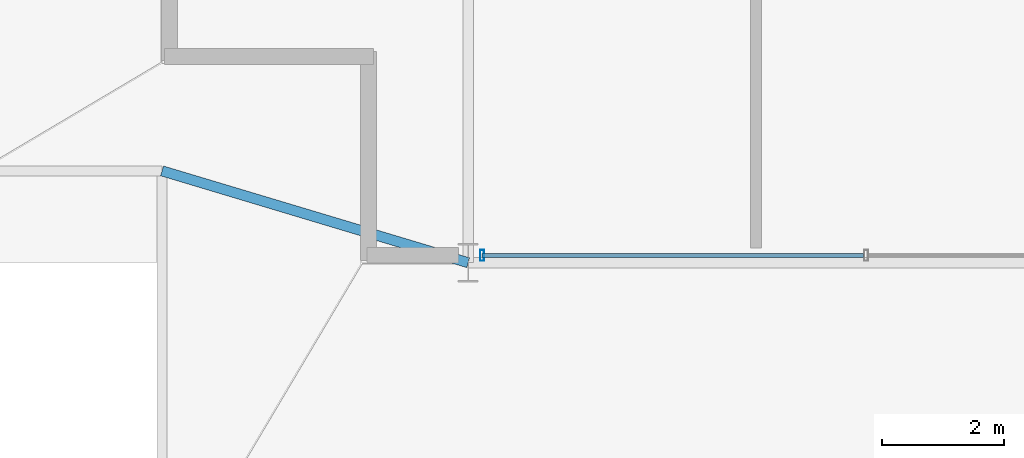
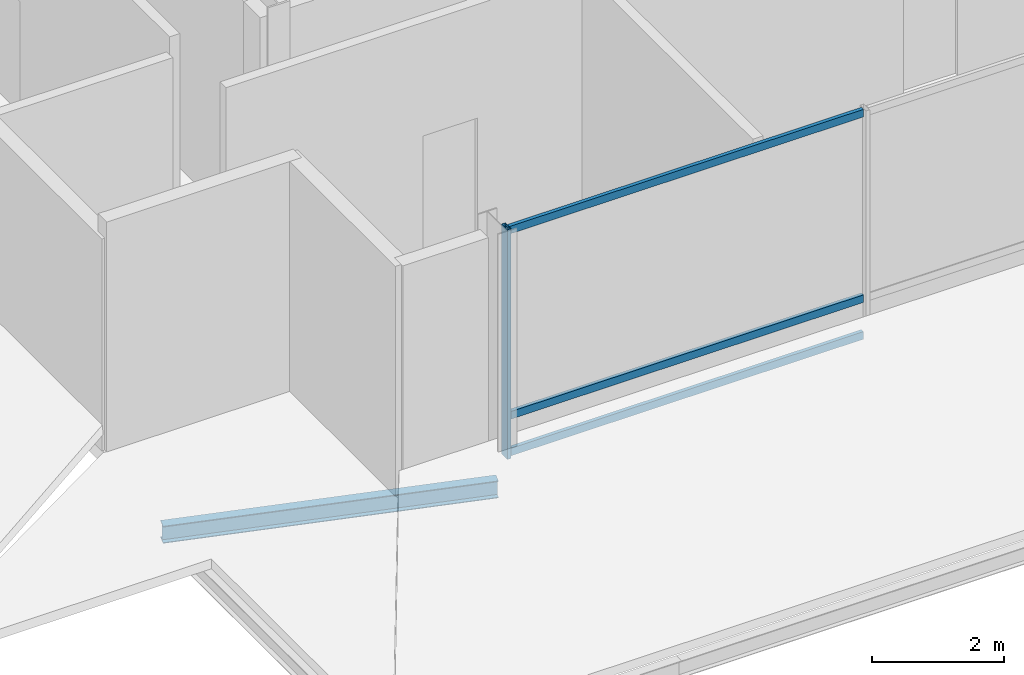
# One storey, part 2 of 9: 4 members, 1 beam, 1 element without a shape of its own.
"""IFC4 building model written with IfcOpenShell, lengths in metres."""

import ifcopenshell
import ifcopenshell.guid

model = None  # the IFC model being written
_history = None  # IfcOwnerHistory: only IFC2X3 demands one
_inside = {}  # id of a spatial element -> (the spatial element, [elements in it])
_under = {}  # id of a project, library or spatial element -> (it, [spatial elements below it])
_declared = {}  # id of a project -> (the project, [libraries it declares])
_typed = {}  # id of a type object -> (the type object, [elements of that type])
_made_of = {}  # id of a material, layer set ... -> (it, [elements and type objects made of it])


def new_model(schema):
    """Start an empty IFC model of exactly this schema.

    Asked for "IFC4X3", IfcOpenShell would pick the latest addendum, in which some entities
    have other attributes; the version numbers below select the first issue.
    IFC2X3 requires an IfcOwnerHistory on every rooted entity: one is made here for all.
    """
    global model, _history
    if schema == "IFC4X3":
        model = ifcopenshell.file(schema_version=(4, 3, 0, 0))
    else:
        model = ifcopenshell.file(schema=schema)
    _inside.clear()
    _under.clear()
    _declared.clear()
    _typed.clear()
    _made_of.clear()
    _history = None
    if model.schema == "IFC2X3":
        org = make("IfcOrganization", Name="unknown")
        user = make(
            "IfcPersonAndOrganization",
            ThePerson=make("IfcPerson", FamilyName="unknown"),
            TheOrganization=org,
        )
        app = make(
            "IfcApplication",
            ApplicationDeveloper=org,
            Version="unknown",
            ApplicationFullName="unknown",
            ApplicationIdentifier="unknown",
        )
        _history = make(
            "IfcOwnerHistory",
            OwningUser=user,
            OwningApplication=app,
            ChangeAction="ADDED",
            CreationDate=0,
        )
    return model


def make(cls, **values):
    """One entity of the class cls with the attributes given. An attribute that is None is left unset."""
    return model.create_entity(
        cls, **{name: value for name, value in values.items() if value is not None}
    )


def rooted(cls, **values):
    """An entity with a GlobalId (a new one), such as an element, a storey or a relation."""
    return make(cls, GlobalId=ifcopenshell.guid.new(), OwnerHistory=_history, **values)


def si_unit(unit_type, name, prefix=None):
    """IfcSIUnit, for example si_unit("LENGTHUNIT", "METRE", prefix="MILLI")."""
    return make("IfcSIUnit", UnitType=unit_type, Prefix=prefix, Name=name)


def assignment(units):
    """IfcUnitAssignment: the units of a project."""
    return None if units is None else make("IfcUnitAssignment", Units=units)


def point(xyz):
    """IfcCartesianPoint."""
    return None if xyz is None else make("IfcCartesianPoint", Coordinates=xyz)


def direction(xyz):
    """IfcDirection."""
    return None if xyz is None else make("IfcDirection", DirectionRatios=xyz)


def frame(location, z_axis=None, x_axis=None):
    """IfcAxis2Placement3D, a coordinate frame: its origin and axes. An axis left out is left unset."""
    return make(
        "IfcAxis2Placement3D",
        Location=point(location),
        Axis=direction(z_axis),
        RefDirection=direction(x_axis),
    )


def frame_2d(location, x_axis=None):
    """IfcAxis2Placement2D, a coordinate frame in the plane: its origin and x axis."""
    return make(
        "IfcAxis2Placement2D", Location=point(location), RefDirection=direction(x_axis)
    )


def origin():
    """The frame at (0, 0, 0) with its axes left unset."""
    return frame((0.0, 0.0, 0.0))


def origin_2d():
    """The frame at (0, 0) in the plane with its x axis left unset."""
    return frame_2d((0.0, 0.0))


def place(relative_to, where):
    """IfcLocalPlacement: puts the frame where relative to a parent placement (None: the world)."""
    return make(
        "IfcLocalPlacement", PlacementRelTo=relative_to, RelativePlacement=where
    )


def context(
    kind, dimensions, precision=None, world=None, true_north=None, identifier=None
):
    """IfcGeometricRepresentationContext, for example the 3D "Model" context."""
    return make(
        "IfcGeometricRepresentationContext",
        ContextIdentifier=identifier,
        ContextType=kind,
        CoordinateSpaceDimension=dimensions,
        Precision=precision,
        WorldCoordinateSystem=world,
        TrueNorth=true_north,
    )


def subcontext(parent, identifier, kind, view, scale=None):
    """IfcGeometricRepresentationSubContext, for example "Body" below "Model"."""
    return make(
        "IfcGeometricRepresentationSubContext",
        ContextIdentifier=identifier,
        ContextType=kind,
        ParentContext=parent,
        TargetScale=scale,
        TargetView=view,
    )


def project(units=None, contexts=None):
    """IfcProject with its units and contexts."""
    return rooted(
        "IfcProject",
        Name="project",
        RepresentationContexts=contexts,
        UnitsInContext=assignment(units),
    )


def spatial(cls, under=None, at=None, **own):
    """A site, building, storey or space (cls), placed at a placement, below another one or the project."""
    s = rooted(cls, ObjectPlacement=at, **own)
    if under is not None:
        _under.setdefault(under.id(), (under, []))[1].append(s)
    return s


def profile(cls, at=None, kind="AREA", **sizes):
    """A parametric profile (cls). Its sizes go by their IFC names, for example OverallWidth=200.0."""
    return make(cls, ProfileType=kind, Position=at, **sizes)


def hollow_rectangle(**sizes):
    """IfcRectangleHollowProfileDef."""
    return profile("IfcRectangleHollowProfileDef", **sizes)


def i_section(**sizes):
    """IfcIShapeProfileDef."""
    return profile("IfcIShapeProfileDef", **sizes)


def extrude(swept, where, along, depth):
    """IfcExtrudedAreaSolid: the profile swept, set in the frame where, extruded along a direction by depth."""
    return make(
        "IfcExtrudedAreaSolid",
        SweptArea=swept,
        Position=where,
        ExtrudedDirection=direction(along),
        Depth=depth,
    )


def shape(context_of_items, identifier, shape_type, items):
    """IfcShapeRepresentation: the items that make up one representation, for example the "Body"."""
    return make(
        "IfcShapeRepresentation",
        ContextOfItems=context_of_items,
        RepresentationIdentifier=identifier,
        RepresentationType=shape_type,
        Items=items,
    )


def material(Name=None, Category=None):
    """IfcMaterial."""
    return make("IfcMaterial", Name=Name, Category=Category)


def layer(
    of_material, thickness, ventilated=None, Name=None, Category=None, Priority=None
):
    """IfcMaterialLayer: one layer of a wall or slab, of a material (None: an air gap)."""
    return make(
        "IfcMaterialLayer",
        Material=of_material,
        LayerThickness=thickness,
        IsVentilated=ventilated,
        Name=Name,
        Category=Category,
        Priority=Priority,
    )


def layer_set(layers, Name=None):
    """IfcMaterialLayerSet."""
    return make("IfcMaterialLayerSet", MaterialLayers=layers, LayerSetName=Name)


def material_profile(
    of_material, cross_section, Name=None, Category=None, Priority=None
):
    """IfcMaterialProfile: a cross section and its material."""
    return make(
        "IfcMaterialProfile",
        Name=Name,
        Material=of_material,
        Profile=cross_section,
        Priority=Priority,
        Category=Category,
    )


def profile_set(profiles, Name=None, composite=None):
    """IfcMaterialProfileSet."""
    return make(
        "IfcMaterialProfileSet",
        Name=Name,
        MaterialProfiles=profiles,
        CompositeProfile=composite,
    )


def made_of(thing, what):
    """Note that an element or type object is made of a material, layer set ...; save() writes the relation."""
    if what is not None:
        _made_of.setdefault(what.id(), (what, []))[1].append(thing)
    return thing


def type_object(cls, material=None, **own):
    """A type object (cls), such as IfcWallType, which elements share."""
    return made_of(rooted(cls, **own), material)


def element(
    cls,
    number,
    at=None,
    inside=None,
    cuts=None,
    type_object=None,
    material=None,
    context=None,
    identifier="Body",
    shape_type=None,
    held_by="IfcProductDefinitionShape",
    body=None,
    shapes=None,
    **own,
):
    """One element of the class cls, such as IfcWall. Its Tag is "e" and its number.

    at: its placement. inside: the storey or other place that contains it. cuts: it is an
    opening in that element (IfcRelVoidsElement). A single representation is given by context,
    identifier, shape_type and body (its items); several are given by shapes. held_by: the class
    of the entity that holds the representations. save() writes the other relations.
    """
    e = rooted(cls, Tag="e%d" % number, ObjectPlacement=at, **own)
    if body is not None:
        shapes = [shape(context, identifier, shape_type, body)]
    if shapes is not None:
        e.Representation = make(held_by, Representations=shapes)
    if inside is not None:
        _inside.setdefault(inside.id(), (inside, []))[1].append(e)
    if cuts is not None:
        rooted(
            "IfcRelVoidsElement", RelatingBuildingElement=cuts, RelatedOpeningElement=e
        )
    if type_object is not None:
        _typed.setdefault(type_object.id(), (type_object, []))[1].append(e)
    return made_of(e, material)


def aggregate(whole, parts):
    """IfcRelAggregates: a whole, such as a stair, and the parts it consists of."""
    return rooted("IfcRelAggregates", RelatingObject=whole, RelatedObjects=parts)


def save(model, path):
    """Write the relations noted so far, then the file.

    IfcRelAggregates (storeys below a building ...), IfcRelContainedInSpatialStructure (elements
    in a storey), IfcRelDefinesByType, IfcRelAssociatesMaterial and IfcRelDeclares: one each for
    every whole, place, type object, material and project.
    """
    for whole, parts in _under.values():
        aggregate(whole, parts)
    for where, things in _inside.values():
        rooted(
            "IfcRelContainedInSpatialStructure",
            RelatedElements=things,
            RelatingStructure=where,
        )
    for kind, things in _typed.values():
        rooted("IfcRelDefinesByType", RelatedObjects=things, RelatingType=kind)
    for what, things in _made_of.values():
        rooted("IfcRelAssociatesMaterial", RelatedObjects=things, RelatingMaterial=what)
    for by, libraries in _declared.values():
        rooted("IfcRelDeclares", RelatingContext=by, RelatedDefinitions=libraries)
    model.write(path)


model = new_model("IFC4")

# Units and contexts
model_context = context("Model", 3, precision=1e-05, world=origin(), true_north=direction((0.0, 1.0)))
body_context = subcontext(model_context, "Body", "Model", "MODEL_VIEW")
ifc_project = project(units=[si_unit("LENGTHUNIT", "METRE"), si_unit("AREAUNIT", "SQUARE_METRE"), si_unit("VOLUMEUNIT", "CUBIC_METRE"), si_unit("PLANEANGLEUNIT", "RADIAN"), si_unit("MASSUNIT", "GRAM", prefix="KILO")], contexts=[model_context])

# Site, building, storey
site_placement = place(None, origin())
site = spatial("IfcSite", under=ifc_project, at=site_placement, CompositionType="ELEMENT")
building_placement = place(site_placement, origin())
building = spatial("IfcBuilding", under=site, at=building_placement, Name="Barlavira Tower and Art Museum", CompositionType="ELEMENT")
storey_placement = place(building_placement, frame((0.0, 0.0, 309.89990234375)))
storey = spatial("IfcBuildingStorey", under=building, at=storey_placement, Name="L81", CompositionType="ELEMENT", Elevation=309.89990234375)

# Beam
ifc_material_1 = material(Name="Steel S355", Category="steel")
ifc_material_profile_1 = material_profile(ifc_material_1, i_section(OverallWidth=0.1669921875, OverallDepth=0.31689453125, WebThickness=0.007568359375, FlangeThickness=0.01318359375, at=origin_2d()), Name="W310x52.0")
ifc_profile_set_1 = profile_set([ifc_material_profile_1], Name="Steel S355")
beam_type = type_object("IfcBeamType", Name="Crown Floor Joist W310x52 Steel S355", PredefinedType="JOIST", material=ifc_profile_set_1)
beam_placement = place(storey_placement, frame((-11.5, -13.0, -0.408447265625), z_axis=(0.957826285221, -0.287347885566, 0.0), x_axis=(0.287347885566, 0.957826285221, 0.0)))
element("IfcBeam", 1, at=beam_placement, inside=storey, type_object=beam_type, Name="L81 Lookout Canopy Ring Beam CRSW", PredefinedType="JOIST", context=body_context, shape_type="SweptSolid", body=[
    extrude(i_section(OverallWidth=0.1669921875, OverallDepth=0.31689453125, WebThickness=0.007568359375, FlangeThickness=0.01318359375, at=origin_2d()), origin(), (0.0, 0.0, 1.0), 5.22021484375),
])

# Curtain wall, members
ifc_material_2 = material(Name="Low-iron coastal laminated glass", Category="glass")
ifc_layer = layer(ifc_material_2, 0.22998046875, Name="Low-iron coastal laminated glass")
ifc_layer_set = layer_set([ifc_layer], Name="Low-iron coastal laminated glass")
curtain_wall_type = type_object("IfcCurtainWallType", Name="Winter-Garden Conservatory Glazed Curtain Wall", PredefinedType="NOTDEFINED", material=ifc_layer_set)
curtain_wall_placement = place(storey_placement, origin())
curtain_wall = element("IfcCurtainWall", 2, at=curtain_wall_placement, inside=storey, type_object=curtain_wall_type, Name="L81 Curtain Wall CW7-L81-S-B2", PredefinedType="NOTDEFINED")
ifc_material_3 = material(Name="Pale anodised aluminium", Category="aluminium")
ifc_material_profile_2 = material_profile(ifc_material_3, hollow_rectangle(XDim=0.06494140625, YDim=0.179931640625, WallThickness=0.00390625, at=origin_2d()), Name="ALU-MULL 65x180x4")
ifc_profile_set_2 = profile_set([ifc_material_profile_2], Name="Pale anodised aluminium")
member_type_1 = type_object("IfcMemberType", Name="Curtain Wall Pale-Metal Mullion 65x180", PredefinedType="MULLION", material=ifc_profile_set_2)
member_1_placement = place(storey_placement, frame((-6.27099609375, -14.3798828125, 0.0), z_axis=(0.0, 0.0, 1.0), x_axis=(1.0, 0.0, 0.0)))
member_1 = element("IfcMember", 3, at=member_1_placement, type_object=member_type_1, Name="CW7-L81-S-B2 Mullion 0", PredefinedType="MULLION", context=body_context, shape_type="SweptSolid", body=[
    extrude(hollow_rectangle(XDim=0.06494140625, YDim=0.179931640625, WallThickness=0.00390625, at=origin_2d()), origin(), (0.0, 0.0, 1.0), 4.25),
])
ifc_material_profile_3 = material_profile(ifc_material_3, hollow_rectangle(XDim=0.06494140625, YDim=0.139892578125, WallThickness=0.00390625, at=origin_2d()), Name="ALU-TRAN 65x140x4")
ifc_profile_set_3 = profile_set([ifc_material_profile_3], Name="Pale anodised aluminium")
member_type_2 = type_object("IfcMemberType", Name="Curtain Wall Pale-Metal Transom 65x140", PredefinedType="USERDEFINED", material=ifc_profile_set_3)
member_2_placement = place(storey_placement, frame((-6.27099609375, -14.3798828125, 0.070068359375), z_axis=(1.0, 0.0, 0.0), x_axis=(0.0, 1.0, 0.0)))
member_2 = element("IfcMember", 4, at=member_2_placement, type_object=member_type_2, Name="CW7-L81-S-B2 Transom 0.1", ObjectType="TRANSOM", PredefinedType="USERDEFINED", context=body_context, shape_type="SweptSolid", body=[
    extrude(hollow_rectangle(XDim=0.06494140625, YDim=0.139892578125, WallThickness=0.00390625, at=origin_2d()), origin(), (0.0, 0.0, 1.0), 6.22607421875),
])
member_3_placement = place(storey_placement, frame((-6.27099609375, -14.3798828125, 0.75), z_axis=(1.0, 0.0, 0.0), x_axis=(0.0, 1.0, 0.0)))
member_3 = element("IfcMember", 5, at=member_3_placement, type_object=member_type_2, Name="CW7-L81-S-B2 Transom 0.2", ObjectType="TRANSOM", PredefinedType="USERDEFINED", context=body_context, shape_type="SweptSolid", body=[
    extrude(hollow_rectangle(XDim=0.06494140625, YDim=0.139892578125, WallThickness=0.00390625, at=origin_2d()), origin(), (0.0, 0.0, 1.0), 6.22607421875),
])
member_4_placement = place(storey_placement, frame((-6.27099609375, -14.3798828125, 4.18017578125), z_axis=(1.0, 0.0, 0.0), x_axis=(0.0, 1.0, 0.0)))
member_4 = element("IfcMember", 6, at=member_4_placement, type_object=member_type_2, Name="CW7-L81-S-B2 Transom 0.3", ObjectType="TRANSOM", PredefinedType="USERDEFINED", context=body_context, shape_type="SweptSolid", body=[
    extrude(hollow_rectangle(XDim=0.06494140625, YDim=0.139892578125, WallThickness=0.00390625, at=origin_2d()), origin(), (0.0, 0.0, 1.0), 6.22607421875),
])
aggregate(curtain_wall, [member_1, member_2, member_3, member_4])

save(model, "model.ifc")
